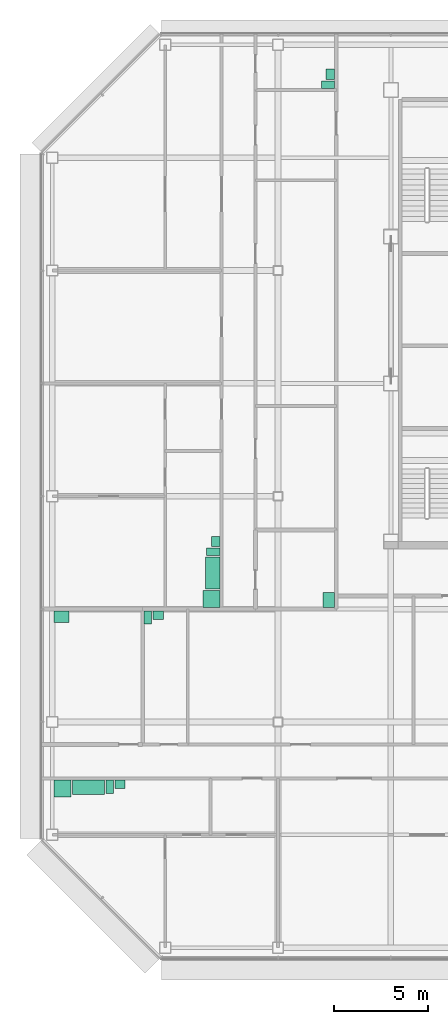
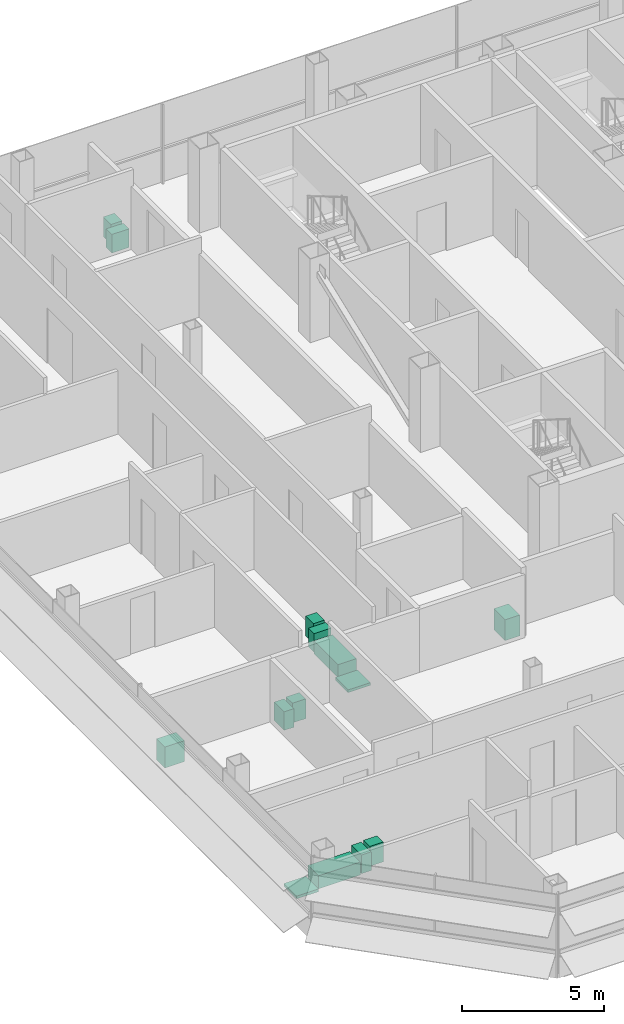
# One storey, part 29 of 30: 14 sanitary terminals.
"""IFC4 building model written with IfcOpenShell, lengths in metres."""

from ifc_helpers import new_model, si_unit, direction, frame, origin, origin_2d, place, context, subcontext, project, spatial, rectangle, extrude, element, save


model = new_model("IFC4")

# Units and contexts
model_context = context("Model", 3, precision=1e-05, world=origin(), true_north=direction((0.0, 1.0)))
body_context = subcontext(model_context, "Body", "Model", "MODEL_VIEW")
ifc_project = project(units=[si_unit("LENGTHUNIT", "METRE"), si_unit("AREAUNIT", "SQUARE_METRE"), si_unit("VOLUMEUNIT", "CUBIC_METRE"), si_unit("PLANEANGLEUNIT", "RADIAN"), si_unit("MASSUNIT", "GRAM", prefix="KILO")], contexts=[model_context])

# Site, building, storey
site_placement = place(None, origin())
site = spatial("IfcSite", under=ifc_project, at=site_placement, CompositionType="ELEMENT")
building_placement = place(site_placement, origin())
building = spatial("IfcBuilding", under=site, at=building_placement, Name="Sorahane Residences", CompositionType="ELEMENT")
storey_placement = place(building_placement, frame((0.0, 0.0, 263.0)))
storey = spatial("IfcBuildingStorey", under=building, at=storey_placement, Name="L62", CompositionType="ELEMENT", Elevation=263.0)

# Sanitary terminals
sanitary_terminal_1_placement = place(storey_placement, frame((-11.469970703125, 8.449951171875, 0.0), z_axis=(0.0, 0.0, 1.0), x_axis=(1.0, 0.0, 0.0)))
element("IfcSanitaryTerminal", 1, at=sanitary_terminal_1_placement, inside=storey, Name="Shower tray En-suite bathroom 62A", PredefinedType="SHOWER", context=body_context, shape_type="SweptSolid", body=[
    extrude(rectangle(XDim=0.89990234375, YDim=0.89990234375, at=origin_2d()), origin(), (0.0, 0.0, 1.0), 0.1201171875),
])
sanitary_terminal_2_placement = place(storey_placement, frame((-10.090087890625, 8.52490234375, 0.0), z_axis=(0.0, 0.0, 1.0), x_axis=(1.0, 0.0, 0.0)))
element("IfcSanitaryTerminal", 2, at=sanitary_terminal_2_placement, inside=storey, Name="Bath En-suite bathroom 62A", PredefinedType="BATH", context=body_context, shape_type="SweptSolid", body=[
    extrude(rectangle(XDim=1.699951171875, YDim=0.75, at=origin_2d()), origin(), (0.0, 0.0, 1.0), 0.56005859375),
])
sanitary_terminal_3_placement = place(storey_placement, frame((-8.9599609375, 8.550048828125, 0.0), z_axis=(0.0, 0.0, 1.0), x_axis=(1.0, 0.0, 0.0)))
element("IfcSanitaryTerminal", 3, at=sanitary_terminal_3_placement, inside=storey, Name="WC pan En-suite bathroom 62A", PredefinedType="TOILETPAN", context=body_context, shape_type="SweptSolid", body=[
    extrude(rectangle(XDim=0.39990234375, YDim=0.699951171875, at=origin_2d()), origin(), (0.0, 0.0, 1.0), 0.800048828125),
])
sanitary_terminal_4_placement = place(storey_placement, frame((-8.405029296875, 8.675048828125, 0.0), z_axis=(0.0, 0.0, 1.0), x_axis=(1.0, 0.0, 0.0)))
element("IfcSanitaryTerminal", 4, at=sanitary_terminal_4_placement, inside=storey, Name="Wash basin En-suite bathroom 62A", PredefinedType="WASHHANDBASIN", context=body_context, shape_type="SweptSolid", body=[
    extrude(rectangle(XDim=0.550048828125, YDim=0.449951171875, at=origin_2d()), origin(), (0.0, 0.0, 1.0), 0.85009765625),
])
sanitary_terminal_5_placement = place(storey_placement, frame((-11.52001953125, 17.60009765625, 0.0), z_axis=(0.0, 0.0, 1.0), x_axis=(1.0, 0.0, 0.0)))
element("IfcSanitaryTerminal", 5, at=sanitary_terminal_5_placement, inside=storey, Name="Kitchen sink Kitchen 62A", PredefinedType="SINK", context=body_context, shape_type="SweptSolid", body=[
    extrude(rectangle(XDim=0.800048828125, YDim=0.60009765625, at=origin_2d()), origin(), (0.0, 0.0, 1.0), 0.89990234375),
])
sanitary_terminal_6_placement = place(storey_placement, frame((-6.919921875, 17.550048828125, 0.0), z_axis=(0.0, 0.0, 1.0), x_axis=(1.0, 0.0, 0.0)))
element("IfcSanitaryTerminal", 6, at=sanitary_terminal_6_placement, inside=storey, Name="WC pan Powder room 62A", PredefinedType="TOILETPAN", context=body_context, shape_type="SweptSolid", body=[
    extrude(rectangle(XDim=0.39990234375, YDim=0.699951171875, at=origin_2d()), origin(), (0.0, 0.0, 1.0), 0.800048828125),
])
sanitary_terminal_7_placement = place(storey_placement, frame((-6.364990234375, 17.675048828125, 0.0), z_axis=(0.0, 0.0, 1.0), x_axis=(1.0, 0.0, 0.0)))
element("IfcSanitaryTerminal", 7, at=sanitary_terminal_7_placement, inside=storey, Name="Wash basin Powder room 62A", PredefinedType="WASHHANDBASIN", context=body_context, shape_type="SweptSolid", body=[
    extrude(rectangle(XDim=0.550048828125, YDim=0.449951171875, at=origin_2d()), origin(), (0.0, 0.0, 1.0), 0.85009765625),
])
sanitary_terminal_8_placement = place(storey_placement, frame((-3.550048828125, 18.530029296875, 0.0), z_axis=(0.0, 0.0, 1.0), x_axis=(0.0, -1.0, 0.0)))
element("IfcSanitaryTerminal", 8, at=sanitary_terminal_8_placement, inside=storey, Name="Shower tray En-suite bathroom 62C", PredefinedType="SHOWER", context=body_context, shape_type="SweptSolid", body=[
    extrude(rectangle(XDim=0.89990234375, YDim=0.89990234375, at=origin_2d()), origin(), (0.0, 0.0, 1.0), 0.1201171875),
])
sanitary_terminal_9_placement = place(storey_placement, frame((-3.47509765625, 19.909912109375, 0.0), z_axis=(0.0, 0.0, 1.0), x_axis=(0.0, -1.0, 0.0)))
element("IfcSanitaryTerminal", 9, at=sanitary_terminal_9_placement, inside=storey, Name="Bath En-suite bathroom 62C", PredefinedType="BATH", context=body_context, shape_type="SweptSolid", body=[
    extrude(rectangle(XDim=1.699951171875, YDim=0.75, at=origin_2d()), origin(), (0.0, 0.0, 1.0), 0.56005859375),
])
sanitary_terminal_10_placement = place(storey_placement, frame((-3.449951171875, 21.0400390625, 0.0), z_axis=(0.0, 0.0, 1.0), x_axis=(0.0, -1.0, 0.0)))
element("IfcSanitaryTerminal", 10, at=sanitary_terminal_10_placement, inside=storey, Name="WC pan En-suite bathroom 62C", PredefinedType="TOILETPAN", context=body_context, shape_type="SweptSolid", body=[
    extrude(rectangle(XDim=0.39990234375, YDim=0.699951171875, at=origin_2d()), origin(), (0.0, 0.0, 1.0), 0.800048828125),
])
sanitary_terminal_11_placement = place(storey_placement, frame((-3.324951171875, 21.594970703125, 0.0), z_axis=(0.0, 0.0, 1.0), x_axis=(0.0, -1.0, 0.0)))
element("IfcSanitaryTerminal", 11, at=sanitary_terminal_11_placement, inside=storey, Name="Wash basin En-suite bathroom 62C", PredefinedType="WASHHANDBASIN", context=body_context, shape_type="SweptSolid", body=[
    extrude(rectangle(XDim=0.550048828125, YDim=0.449951171875, at=origin_2d()), origin(), (0.0, 0.0, 1.0), 0.85009765625),
])
sanitary_terminal_12_placement = place(storey_placement, frame((2.699951171875, 18.47998046875, 0.0), z_axis=(0.0, 0.0, 1.0), x_axis=(0.0, -1.0, 0.0)))
element("IfcSanitaryTerminal", 12, at=sanitary_terminal_12_placement, inside=storey, Name="Kitchen sink Kitchen 62C", PredefinedType="SINK", context=body_context, shape_type="SweptSolid", body=[
    extrude(rectangle(XDim=0.800048828125, YDim=0.60009765625, at=origin_2d()), origin(), (0.0, 0.0, 1.0), 0.89990234375),
])
sanitary_terminal_13_placement = place(storey_placement, frame((2.64990234375, 45.8798828125, 0.0), z_axis=(0.0, 0.0, 1.0), x_axis=(0.0, -1.0, 0.0)))
element("IfcSanitaryTerminal", 13, at=sanitary_terminal_13_placement, inside=storey, Name="WC pan Powder room 62C", PredefinedType="TOILETPAN", context=body_context, shape_type="SweptSolid", body=[
    extrude(rectangle(XDim=0.39990234375, YDim=0.699951171875, at=origin_2d()), origin(), (0.0, 0.0, 1.0), 0.800048828125),
])
sanitary_terminal_14_placement = place(storey_placement, frame((2.77490234375, 46.43505859375, 0.0), z_axis=(0.0, 0.0, 1.0), x_axis=(0.0, -1.0, 0.0)))
element("IfcSanitaryTerminal", 14, at=sanitary_terminal_14_placement, inside=storey, Name="Wash basin Powder room 62C", PredefinedType="WASHHANDBASIN", context=body_context, shape_type="SweptSolid", body=[
    extrude(rectangle(XDim=0.550048828125, YDim=0.449951171875, at=origin_2d()), origin(), (0.0, 0.0, 1.0), 0.85009765625),
])

save(model, "model.ifc")
